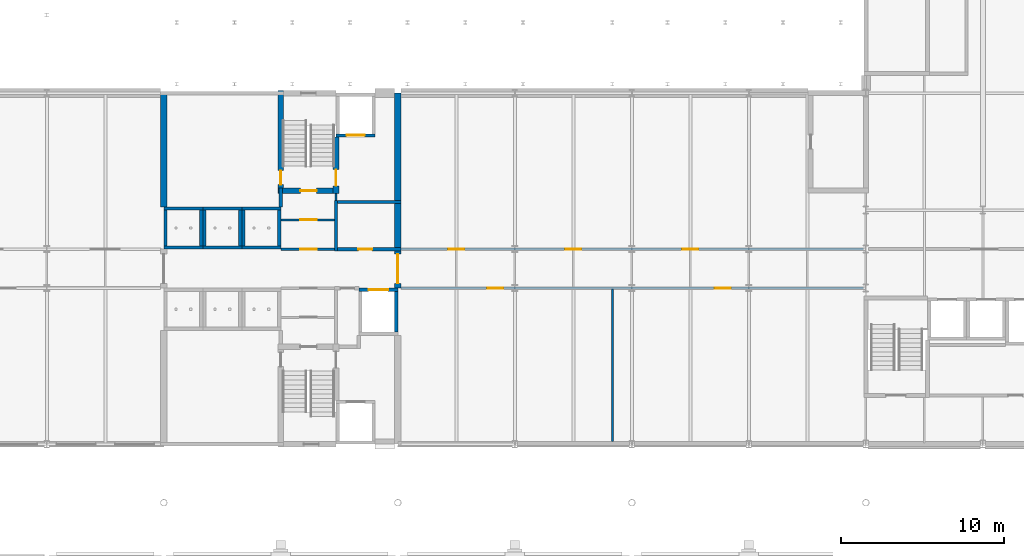
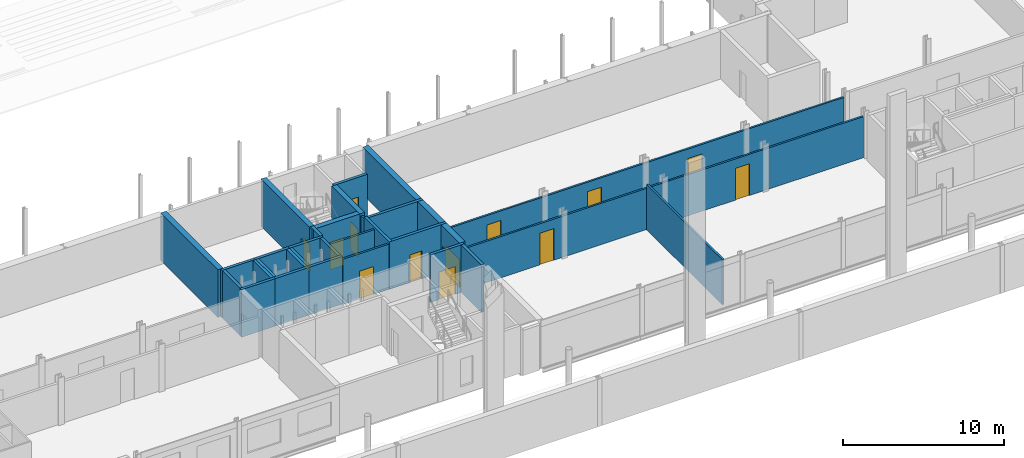
# One storey, part 55 of 90: 32 walls, 14 doors, 14 openings.
"""IFC4 building model written with IfcOpenShell, lengths in metres."""

from ifc_helpers import new_model, si_unit, direction, frame, frame_2d, origin, place, context, subcontext, project, spatial, rectangle, extrude, material, layer, layer_set, type_object, element, fill, save


model = new_model("IFC4")

# Units and contexts
model_context = context("Model", 3, precision=1e-05, world=origin(), true_north=direction((0.0, 1.0)))
body_context = subcontext(model_context, "Body", "Model", "MODEL_VIEW")
ifc_project = project(units=[si_unit("LENGTHUNIT", "METRE"), si_unit("AREAUNIT", "SQUARE_METRE"), si_unit("VOLUMEUNIT", "CUBIC_METRE"), si_unit("PLANEANGLEUNIT", "RADIAN"), si_unit("MASSUNIT", "GRAM", prefix="KILO")], contexts=[model_context])

# Site, building, storey
site_placement = place(None, origin())
site = spatial("IfcSite", under=ifc_project, at=site_placement, CompositionType="ELEMENT")
building_placement = place(site_placement, origin())
building = spatial("IfcBuilding", under=site, at=building_placement, Name="Kupolbacken Congress Centre", CompositionType="ELEMENT")
storey_placement = place(building_placement, frame((0.0, 0.0, 3.60009765625)))
storey = spatial("IfcBuildingStorey", under=building, at=storey_placement, Name="L01", CompositionType="ELEMENT", Elevation=3.60009765625)

# Wall, openings, doors
ifc_material_1 = material(Name="Gypsum board", Category="drywall")
ifc_layer_1 = layer(ifc_material_1, 0.135009765625)
ifc_layer_set_1 = layer_set([ifc_layer_1], Name="Gypsum board")
wall_type_1 = type_object("IfcWallType", Name="P06 compartment wall 135", PredefinedType="PARTITIONING", material=ifc_layer_set_1)
wall_1_placement = place(storey_placement, frame((108.199951171875, 132.0, 0.0), z_axis=(0.0, 0.0, 1.0), x_axis=(1.0, 0.0, 0.0)))
wall_1 = element("IfcWall", 1, at=wall_1_placement, inside=storey, type_object=wall_type_1, Name="T/wall/L01/x/13200/10800", PredefinedType="PARTITIONING", context=body_context, shape_type="SweptSolid", body=[
    extrude(rectangle(XDim=28.449951171875, YDim=0.135009765625, at=frame_2d((14.22509765625, 0.0))), origin(), (0.0, 0.0, 1.0), 3.119873046875),
])
opening_1_placement = place(wall_1_placement, frame((5.300048828125, 0.0, 0.0)))
opening_1 = element("IfcOpeningElement", 2, at=opening_1_placement, cuts=wall_1, Name="Opening D8", PredefinedType="OPENING", context=body_context, shape_type="SweptSolid", body=[
    extrude(rectangle(XDim=1.0, YDim=2.39990234375, at=frame_2d((0.5, 1.199951171875))), frame((0.0, 0.077392578125, 0.0), z_axis=(0.0, -1.0, 0.0), x_axis=(1.0, 0.0, 0.0)), (0.0, 0.0, 1.0), 0.155029296875),
])
opening_2_placement = place(wall_1_placement, frame((19.300048828125, 0.0, 0.0)))
opening_2 = element("IfcOpeningElement", 3, at=opening_2_placement, cuts=wall_1, Name="Opening D8", PredefinedType="OPENING", context=body_context, shape_type="SweptSolid", body=[
    extrude(rectangle(XDim=1.0, YDim=2.39990234375, at=frame_2d((0.5, 1.199951171875))), frame((0.0, 0.077392578125, 0.0), z_axis=(0.0, -1.0, 0.0), x_axis=(1.0, 0.0, 0.0)), (0.0, 0.0, 1.0), 0.155029296875),
])
ifc_material_2 = material(Name="Steel fire door leaf", Category="steel")
door_type_1 = type_object("IfcDoorType", Name="D8 fire door 1000x2400", OperationType="SINGLE_SWING_LEFT", PredefinedType="DOOR", material=ifc_material_2)
door_1_placement = place(opening_1_placement, frame((1.0, 0.0, 0.0), z_axis=(0.0, 0.0, 1.0), x_axis=(-1.0, 0.0, 0.0)))
door_1 = element("IfcDoor", 4, at=door_1_placement, inside=storey, type_object=door_type_1, Name="T/wall/L01/x/13200/10800/D-ACC-D", OperationType="SINGLE_SWING_LEFT", OverallHeight=2.39990234375, OverallWidth=1.0, PredefinedType="DOOR", context=body_context, shape_type="SweptSolid", body=[
    extrude(rectangle(XDim=1.0, YDim=2.39990234375, at=frame_2d((0.5, 1.199951171875))), frame((0.0, 0.02490234375, 0.0), z_axis=(0.0, -1.0, 0.0), x_axis=(1.0, 0.0, 0.0)), (0.0, 0.0, 1.0), 0.050048828125),
])
fill(opening_1, door_1)
door_2_placement = place(opening_2_placement, frame((1.0, 0.0, 0.0), z_axis=(0.0, 0.0, 1.0), x_axis=(-1.0, 0.0, 0.0)))
door_2 = element("IfcDoor", 5, at=door_2_placement, inside=storey, type_object=door_type_1, Name="T/wall/L01/x/13200/10800/D-TRN-D", OperationType="SINGLE_SWING_LEFT", OverallHeight=2.39990234375, OverallWidth=1.0, PredefinedType="DOOR", context=body_context, shape_type="SweptSolid", body=[
    extrude(rectangle(XDim=1.0, YDim=2.39990234375, at=frame_2d((0.5, 1.199951171875))), frame((0.0, 0.02490234375, 0.0), z_axis=(0.0, -1.0, 0.0), x_axis=(1.0, 0.0, 0.0)), (0.0, 0.0, 1.0), 0.050048828125),
])
fill(opening_2, door_2)

wall_2_placement = place(storey_placement, frame((108.199951171875, 134.39990234375, 0.0), z_axis=(0.0, 0.0, 1.0), x_axis=(1.0, 0.0, 0.0)))
wall_2 = element("IfcWall", 6, at=wall_2_placement, inside=storey, type_object=wall_type_1, Name="T/wall/L01/x/13440/10810", PredefinedType="PARTITIONING", context=body_context, shape_type="SweptSolid", body=[
    extrude(rectangle(XDim=28.449951171875, YDim=0.135009765625, at=frame_2d((14.22509765625, 0.0))), origin(), (0.0, 0.0, 1.0), 3.119873046875),
])
opening_3_placement = place(wall_2_placement, frame((2.89990234375, 0.0, 0.0)))
opening_3 = element("IfcOpeningElement", 7, at=opening_3_placement, cuts=wall_2, Name="Opening D8", PredefinedType="OPENING", context=body_context, shape_type="SweptSolid", body=[
    extrude(rectangle(XDim=1.0, YDim=2.39990234375, at=frame_2d((0.5, 1.199951171875))), frame((0.0, 0.077392578125, 0.0), z_axis=(0.0, -1.0, 0.0), x_axis=(1.0, 0.0, 0.0)), (0.0, 0.0, 1.0), 0.155029296875),
])
opening_4_placement = place(wall_2_placement, frame((10.10009765625, 0.0, 0.0)))
opening_4 = element("IfcOpeningElement", 8, at=opening_4_placement, cuts=wall_2, Name="Opening D8", PredefinedType="OPENING", context=body_context, shape_type="SweptSolid", body=[
    extrude(rectangle(XDim=1.0, YDim=2.39990234375, at=frame_2d((0.5, 1.199951171875))), frame((0.0, 0.077392578125, 0.0), z_axis=(0.0, -1.0, 0.0), x_axis=(1.0, 0.0, 0.0)), (0.0, 0.0, 1.0), 0.155029296875),
])
opening_5_placement = place(wall_2_placement, frame((17.300048828125, 0.0, 0.0)))
opening_5 = element("IfcOpeningElement", 9, at=opening_5_placement, cuts=wall_2, Name="Opening D8", PredefinedType="OPENING", context=body_context, shape_type="SweptSolid", body=[
    extrude(rectangle(XDim=1.0, YDim=2.39990234375, at=frame_2d((0.5, 1.199951171875))), frame((0.0, 0.077392578125, 0.0), z_axis=(0.0, -1.0, 0.0), x_axis=(1.0, 0.0, 0.0)), (0.0, 0.0, 1.0), 0.155029296875),
])
door_3_placement = place(opening_3_placement, origin())
door_3 = element("IfcDoor", 10, at=door_3_placement, inside=storey, type_object=door_type_1, Name="T/wall/L01/x/13440/10810/D-OFF-S1", OperationType="SINGLE_SWING_RIGHT", OverallHeight=2.39990234375, OverallWidth=1.0, PredefinedType="DOOR", context=body_context, shape_type="SweptSolid", body=[
    extrude(rectangle(XDim=1.0, YDim=2.39990234375, at=frame_2d((0.5, 1.199951171875))), frame((0.0, 0.02490234375, 0.0), z_axis=(0.0, -1.0, 0.0), x_axis=(1.0, 0.0, 0.0)), (0.0, 0.0, 1.0), 0.050048828125),
])
fill(opening_3, door_3)
door_4_placement = place(opening_4_placement, origin())
door_4 = element("IfcDoor", 11, at=door_4_placement, inside=storey, type_object=door_type_1, Name="T/wall/L01/x/13440/10810/D-OFF-S2", OperationType="SINGLE_SWING_RIGHT", OverallHeight=2.39990234375, OverallWidth=1.0, PredefinedType="DOOR", context=body_context, shape_type="SweptSolid", body=[
    extrude(rectangle(XDim=1.0, YDim=2.39990234375, at=frame_2d((0.5, 1.199951171875))), frame((0.0, 0.02490234375, 0.0), z_axis=(0.0, -1.0, 0.0), x_axis=(1.0, 0.0, 0.0)), (0.0, 0.0, 1.0), 0.050048828125),
])
fill(opening_4, door_4)
door_5_placement = place(opening_5_placement, origin())
door_5 = element("IfcDoor", 12, at=door_5_placement, inside=storey, type_object=door_type_1, Name="T/wall/L01/x/13440/10810/D-OFF-S3", OperationType="SINGLE_SWING_RIGHT", OverallHeight=2.39990234375, OverallWidth=1.0, PredefinedType="DOOR", context=body_context, shape_type="SweptSolid", body=[
    extrude(rectangle(XDim=1.0, YDim=2.39990234375, at=frame_2d((0.5, 1.199951171875))), frame((0.0, 0.02490234375, 0.0), z_axis=(0.0, -1.0, 0.0), x_axis=(1.0, 0.0, 0.0)), (0.0, 0.0, 1.0), 0.050048828125),
])
fill(opening_5, door_5)

# Wall
wall_3_placement = place(storey_placement, frame((121.199951171875, 122.550048828125, 0.0), z_axis=(0.0, 0.0, 1.0), x_axis=(0.0, 1.0, 0.0)))
element("IfcWall", 13, at=wall_3_placement, inside=storey, type_object=wall_type_1, Name="T/wall/L01/y/12120/12240", PredefinedType="PARTITIONING", context=body_context, shape_type="SweptSolid", body=[
    extrude(rectangle(XDim=9.382568359375, YDim=0.135009765625, at=frame_2d((4.69140625, 0.0))), origin(), (0.0, 0.0, 1.0), 3.419921875),
])

# Wall, opening, door
ifc_material_3 = material(Name="Aerated concrete block", Category="masonry")
ifc_layer_2 = layer(ifc_material_3, 0.139892578125)
ifc_layer_set_2 = layer_set([ifc_layer_2], Name="Aerated concrete block")
wall_type_2 = type_object("IfcWallType", Name="P14 compartment wall 140", PredefinedType="PARTITIONING", material=ifc_layer_set_2)
wall_4_placement = place(storey_placement, frame((100.800048828125, 134.39990234375, 0.0), z_axis=(0.0, 0.0, 1.0), x_axis=(1.0, 0.0, 0.0)))
wall_4 = element("IfcWall", 14, at=wall_4_placement, inside=storey, type_object=wall_type_2, Name="T/wall/L01/x/13440/10080", PredefinedType="PARTITIONING", context=body_context, shape_type="SweptSolid", body=[
    extrude(rectangle(XDim=3.300048828125, YDim=0.139892578125, at=frame_2d((1.64990234375, 0.0))), origin(), (0.0, 0.0, 1.0), 3.419921875),
])
opening_6_placement = place(wall_4_placement, frame((1.199951171875, 0.0, 0.0)))
opening_6 = element("IfcOpeningElement", 15, at=opening_6_placement, cuts=wall_4, Name="Opening D5", PredefinedType="OPENING", context=body_context, shape_type="SweptSolid", body=[
    extrude(rectangle(XDim=1.0, YDim=2.10009765625, at=frame_2d((0.5, 1.050048828125))), frame((0.0, 0.079833984375, 0.0), z_axis=(0.0, -1.0, 0.0), x_axis=(1.0, 0.0, 0.0)), (0.0, 0.0, 1.0), 0.159912109375),
])
ifc_material_4 = material(Name="Steel fire door leaf", Category="steel")
door_type_2 = type_object("IfcDoorType", Name="D5 stair door 1000x2100", OperationType="SINGLE_SWING_LEFT", PredefinedType="DOOR", material=ifc_material_4)
door_6_placement = place(opening_6_placement, frame((1.0, 0.0, 0.0), z_axis=(0.0, 0.0, 1.0), x_axis=(-1.0, 0.0, 0.0)))
door_6 = element("IfcDoor", 16, at=door_6_placement, inside=storey, type_object=door_type_2, Name="T/wall/L01/x/13440/10080/D-TS2-LK3", OperationType="SINGLE_SWING_RIGHT", OverallHeight=2.10009765625, OverallWidth=1.0, PredefinedType="DOOR", context=body_context, shape_type="SweptSolid", body=[
    extrude(rectangle(XDim=1.0, YDim=2.10009765625, at=frame_2d((0.5, 1.050048828125))), frame((0.0, 0.02490234375, 0.0), z_axis=(0.0, -1.0, 0.0), x_axis=(1.0, 0.0, 0.0)), (0.0, 0.0, 1.0), 0.050048828125),
])
fill(opening_6, door_6)

wall_5_placement = place(storey_placement, frame((100.800048828125, 136.199951171875, 0.0), z_axis=(0.0, 0.0, 1.0), x_axis=(1.0, 0.0, 0.0)))
wall_5 = element("IfcWall", 17, at=wall_5_placement, inside=storey, type_object=wall_type_2, Name="T/wall/L01/x/13620/10080", PredefinedType="PARTITIONING", context=body_context, shape_type="SweptSolid", body=[
    extrude(rectangle(XDim=3.300048828125, YDim=0.139892578125, at=frame_2d((1.64990234375, 0.0))), origin(), (0.0, 0.0, 1.0), 3.419921875),
])
opening_7_placement = place(wall_5_placement, frame((1.199951171875, 0.0, 0.0)))
opening_7 = element("IfcOpeningElement", 18, at=opening_7_placement, cuts=wall_5, Name="Opening D5", PredefinedType="OPENING", context=body_context, shape_type="SweptSolid", body=[
    extrude(rectangle(XDim=1.0, YDim=2.10009765625, at=frame_2d((0.5, 1.050048828125))), frame((0.0, 0.079833984375, 0.0), z_axis=(0.0, -1.0, 0.0), x_axis=(1.0, 0.0, 0.0)), (0.0, 0.0, 1.0), 0.159912109375),
])
door_7_placement = place(opening_7_placement, frame((1.0, 0.0, 0.0), z_axis=(0.0, 0.0, 1.0), x_axis=(-1.0, 0.0, 0.0)))
door_7 = element("IfcDoor", 19, at=door_7_placement, inside=storey, type_object=door_type_2, Name="T/wall/L01/x/13620/10080/D-TS2-LK2", OperationType="SINGLE_SWING_RIGHT", OverallHeight=2.10009765625, OverallWidth=1.0, PredefinedType="DOOR", context=body_context, shape_type="SweptSolid", body=[
    extrude(rectangle(XDim=1.0, YDim=2.10009765625, at=frame_2d((0.5, 1.050048828125))), frame((0.0, 0.02490234375, 0.0), z_axis=(0.0, -1.0, 0.0), x_axis=(1.0, 0.0, 0.0)), (0.0, 0.0, 1.0), 0.050048828125),
])
fill(opening_7, door_7)

# Wall
wall_6_placement = place(storey_placement, frame((104.199951171875, 137.39990234375, 0.0), z_axis=(0.0, 0.0, 1.0), x_axis=(0.0, 1.0, 0.0)))
element("IfcWall", 20, at=wall_6_placement, inside=storey, type_object=wall_type_2, Name="T/wall/L01/y/10420/13740", PredefinedType="PARTITIONING", context=body_context, shape_type="SweptSolid", body=[
    extrude(rectangle(XDim=0.425048828125, YDim=0.139892578125, at=frame_2d((0.21240234375, 0.0))), origin(), (0.0, 0.0, 1.0), 3.419921875),
])

# Wall, opening, door
ifc_material_5 = material(Name="Concrete C40/50", Category="concrete")
ifc_layer_3 = layer(ifc_material_5, 0.199951171875)
ifc_layer_set_3 = layer_set([ifc_layer_3], Name="Concrete C40/50")
wall_type_3 = type_object("IfcWallType", Name="WC1 RC shaft wall 200", PredefinedType="SHEAR", material=ifc_layer_set_3)
wall_7_placement = place(storey_placement, frame((104.10009765625, 134.39990234375, 0.0), z_axis=(0.0, 0.0, 1.0), x_axis=(1.0, 0.0, 0.0)))
wall_7 = element("IfcWall", 21, at=wall_7_placement, inside=storey, type_object=wall_type_3, Name="Shaft wall L01-112", PredefinedType="SHEAR", context=body_context, shape_type="SweptSolid", body=[
    extrude(rectangle(XDim=4.099853515625, YDim=0.199951171875, at=frame_2d((2.0498046875, 0.0))), origin(), (0.0, 0.0, 1.0), 3.599853515625),
])
opening_8_placement = place(wall_7_placement, frame((1.47509765625, 0.0, 0.0)))
opening_8 = element("IfcOpeningElement", 22, at=opening_8_placement, cuts=wall_7, Name="Opening D3", PredefinedType="OPENING", context=body_context, shape_type="SweptSolid", body=[
    extrude(rectangle(XDim=0.85009765625, YDim=2.10009765625, at=frame_2d((0.425048828125, 1.050048828125))), frame((0.0, 0.10986328125, 0.0), z_axis=(0.0, -1.0, 0.0), x_axis=(1.0, 0.0, 0.0)), (0.0, 0.0, 1.0), 0.219970703125),
])
ifc_material_6 = material(Name="Steel fire door leaf", Category="steel")
door_type_3 = type_object("IfcDoorType", Name="D3 fire door 850x2100", OperationType="SINGLE_SWING_LEFT", PredefinedType="DOOR", material=ifc_material_6)
door_8_placement = place(opening_8_placement, origin())
door_8 = element("IfcDoor", 23, at=door_8_placement, inside=storey, type_object=door_type_3, Name="S/core/L01/112/D-TR4-A", OperationType="SINGLE_SWING_RIGHT", OverallHeight=2.10009765625, OverallWidth=0.85009765625, PredefinedType="DOOR", context=body_context, shape_type="SweptSolid", body=[
    extrude(rectangle(XDim=0.85009765625, YDim=2.10009765625, at=frame_2d((0.425048828125, 1.050048828125))), frame((0.0, 0.02490234375, 0.0), z_axis=(0.0, -1.0, 0.0), x_axis=(1.0, 0.0, 0.0)), (0.0, 0.0, 1.0), 0.050048828125),
])
fill(opening_8, door_8)

# Walls
wall_8_placement = place(storey_placement, frame((100.800048828125, 137.0, 0.0), z_axis=(0.0, 0.0, 1.0), x_axis=(0.0, 1.0, 0.0)))
element("IfcWall", 24, at=wall_8_placement, inside=storey, type_object=wall_type_3, Name="Shaft wall L01-114", PredefinedType="SHEAR", context=body_context, shape_type="SweptSolid", body=[
    extrude(rectangle(XDim=1.175048828125, YDim=0.199951171875, at=frame_2d((0.58740234375, 0.0))), origin(), (0.0, 0.0, 1.0), 3.599853515625),
])
wall_9_placement = place(storey_placement, frame((104.199951171875, 137.39990234375, 0.0), z_axis=(0.0, 0.0, 1.0), x_axis=(0.0, -1.0, 0.0)))
element("IfcWall", 25, at=wall_9_placement, inside=storey, type_object=wall_type_3, Name="Shaft wall L01-115", PredefinedType="SHEAR", context=body_context, shape_type="SweptSolid", body=[
    extrude(rectangle(XDim=3.099853515625, YDim=0.199951171875, at=frame_2d((1.5498046875, 0.0))), origin(), (0.0, 0.0, 1.0), 3.599853515625),
])
wall_10_placement = place(storey_placement, frame((108.199951171875, 137.300048828125, 0.0), z_axis=(0.0, 0.0, 1.0), x_axis=(-1.0, 0.0, 0.0)))
element("IfcWall", 26, at=wall_10_placement, inside=storey, type_object=wall_type_3, Name="Shaft wall L01-116", PredefinedType="SHEAR", context=body_context, shape_type="SweptSolid", body=[
    extrude(rectangle(XDim=4.099853515625, YDim=0.199951171875, at=frame_2d((2.0498046875, 0.0))), origin(), (0.0, 0.0, 1.0), 3.599853515625),
])
for number, where, z_axis, x_axis, name in (
    (27, (93.60009765625, 134.5, 0.0), (0.0, 0.0, 1.0), (1.0, 0.0, 0.0), "Shaft wall LP12"),
    (28, (93.60009765625, 136.89990234375, 0.0), (0.0, 0.0, 1.0), (1.0, 0.0, 0.0), "Shaft wall LP12"),
):
    element("IfcWall", number, at=place(storey_placement, frame(where, z_axis=z_axis, x_axis=x_axis)), inside=storey, type_object=wall_type_3, Name=name, PredefinedType="SHEAR", context=body_context, shape_type="SweptSolid", body=[
        extrude(rectangle(XDim=2.39990234375, YDim=0.199951171875, at=frame_2d((1.199951171875, 0.0))), origin(), (0.0, 0.0, 1.0), 3.599853515625),
    ])
for number, where, z_axis, x_axis, name in (
    (29, (93.699951171875, 134.60009765625, 0.0), (0.0, 0.0, 1.0), (0.0, 1.0, 0.0), "Shaft wall LP12"),
    (30, (95.89990234375, 134.60009765625, 0.0), (0.0, 0.0, 1.0), (0.0, 1.0, 0.0), "Shaft wall LP12"),
):
    element("IfcWall", number, at=place(storey_placement, frame(where, z_axis=z_axis, x_axis=x_axis)), inside=storey, type_object=wall_type_3, Name=name, PredefinedType="SHEAR", context=body_context, shape_type="SweptSolid", body=[
        extrude(rectangle(XDim=2.199951171875, YDim=0.199951171875, at=frame_2d((1.10009765625, 0.0))), origin(), (0.0, 0.0, 1.0), 3.599853515625),
    ])
for number, where, z_axis, x_axis, name in (
    (31, (96.0, 134.5, 0.0), (0.0, 0.0, 1.0), (1.0, 0.0, 0.0), "Shaft wall LP13"),
    (32, (96.0, 136.89990234375, 0.0), (0.0, 0.0, 1.0), (1.0, 0.0, 0.0), "Shaft wall LP13"),
):
    element("IfcWall", number, at=place(storey_placement, frame(where, z_axis=z_axis, x_axis=x_axis)), inside=storey, type_object=wall_type_3, Name=name, PredefinedType="SHEAR", context=body_context, shape_type="SweptSolid", body=[
        extrude(rectangle(XDim=2.39990234375, YDim=0.199951171875, at=frame_2d((1.199951171875, 0.0))), origin(), (0.0, 0.0, 1.0), 3.599853515625),
    ])
for number, where, z_axis, x_axis, name in (
    (33, (96.10009765625, 134.60009765625, 0.0), (0.0, 0.0, 1.0), (0.0, 1.0, 0.0), "Shaft wall LP13"),
    (34, (98.300048828125, 134.60009765625, 0.0), (0.0, 0.0, 1.0), (0.0, 1.0, 0.0), "Shaft wall LP13"),
):
    element("IfcWall", number, at=place(storey_placement, frame(where, z_axis=z_axis, x_axis=x_axis)), inside=storey, type_object=wall_type_3, Name=name, PredefinedType="SHEAR", context=body_context, shape_type="SweptSolid", body=[
        extrude(rectangle(XDim=2.199951171875, YDim=0.199951171875, at=frame_2d((1.10009765625, 0.0))), origin(), (0.0, 0.0, 1.0), 3.599853515625),
    ])
for number, where, z_axis, x_axis, name in (
    (35, (98.39990234375, 134.5, 0.0), (0.0, 0.0, 1.0), (1.0, 0.0, 0.0), "Shaft wall LP14"),
    (36, (98.39990234375, 136.89990234375, 0.0), (0.0, 0.0, 1.0), (1.0, 0.0, 0.0), "Shaft wall LP14"),
):
    element("IfcWall", number, at=place(storey_placement, frame(where, z_axis=z_axis, x_axis=x_axis)), inside=storey, type_object=wall_type_3, Name=name, PredefinedType="SHEAR", context=body_context, shape_type="SweptSolid", body=[
        extrude(rectangle(XDim=2.400146484375, YDim=0.199951171875, at=frame_2d((1.2001953125, 0.0))), origin(), (0.0, 0.0, 1.0), 3.599853515625),
    ])
for number, where, z_axis, x_axis, name in (
    (37, (98.5, 134.60009765625, 0.0), (0.0, 0.0, 1.0), (0.0, 1.0, 0.0), "Shaft wall LP14"),
    (38, (100.699951171875, 134.60009765625, 0.0), (0.0, 0.0, 1.0), (0.0, 1.0, 0.0), "Shaft wall LP14"),
):
    element("IfcWall", number, at=place(storey_placement, frame(where, z_axis=z_axis, x_axis=x_axis)), inside=storey, type_object=wall_type_3, Name=name, PredefinedType="SHEAR", context=body_context, shape_type="SweptSolid", body=[
        extrude(rectangle(XDim=2.199951171875, YDim=0.199951171875, at=frame_2d((1.10009765625, 0.0))), origin(), (0.0, 0.0, 1.0), 3.599853515625),
    ])

# Wall, opening, door
wall_11_placement = place(storey_placement, frame((104.199951171875, 141.39990234375, 0.0), z_axis=(0.0, 0.0, 1.0), x_axis=(1.0, 0.0, 0.0)))
wall_11 = element("IfcWall", 39, at=wall_11_placement, inside=storey, type_object=wall_type_3, Name="Shaft wall LF2", PredefinedType="SHEAR", context=body_context, shape_type="SweptSolid", body=[
    extrude(rectangle(XDim=2.400146484375, YDim=0.199951171875, at=frame_2d((1.2001953125, 0.0))), origin(), (0.0, 0.0, 1.0), 3.599853515625),
])
opening_9_placement = place(wall_11_placement, frame((0.64990234375, 0.0, 0.0)))
opening_9 = element("IfcOpeningElement", 40, at=opening_9_placement, cuts=wall_11, Name="Opening LD2", PredefinedType="OPENING", context=body_context, shape_type="SweptSolid", body=[
    extrude(rectangle(XDim=1.10009765625, YDim=2.10009765625, at=frame_2d((0.550048828125, 1.050048828125))), frame((0.0, 0.10986328125, 0.0), z_axis=(0.0, -1.0, 0.0), x_axis=(1.0, 0.0, 0.0)), (0.0, 0.0, 1.0), 0.219970703125),
])
ifc_material_7 = material(Name="Stainless steel door leaf", Category="steel")
door_type_4 = type_object("IfcDoorType", Name="LD2 lift landing door 1100x2100", OperationType="SLIDING_TO_LEFT", PredefinedType="DOOR", material=ifc_material_7)
door_9_placement = place(opening_9_placement, origin())
door_9 = element("IfcDoor", 41, at=door_9_placement, inside=storey, type_object=door_type_4, Name="Lift landing door LF2", OperationType="SLIDING_TO_LEFT", OverallHeight=2.10009765625, OverallWidth=1.10009765625, PredefinedType="DOOR", context=body_context, shape_type="SweptSolid", body=[
    extrude(rectangle(XDim=1.10009765625, YDim=2.10009765625, at=frame_2d((0.550048828125, 1.050048828125))), frame((0.0, 0.02490234375, 0.0), z_axis=(0.0, -1.0, 0.0), x_axis=(1.0, 0.0, 0.0)), (0.0, 0.0, 1.0), 0.050048828125),
])
fill(opening_9, door_9)

wall_12_placement = place(storey_placement, frame((105.60009765625, 131.89990234375, 0.0), z_axis=(0.0, 0.0, 1.0), x_axis=(1.0, 0.0, 0.0)))
wall_12 = element("IfcWall", 42, at=wall_12_placement, inside=storey, type_object=wall_type_3, Name="Shaft wall LV1", PredefinedType="SHEAR", context=body_context, shape_type="SweptSolid", body=[
    extrude(rectangle(XDim=2.39990234375, YDim=0.199951171875, at=frame_2d((1.199951171875, 0.0))), origin(), (0.0, 0.0, 1.0), 3.599853515625),
])
opening_10_placement = place(wall_12_placement, frame((0.60009765625, 0.0, 0.0)))
opening_10 = element("IfcOpeningElement", 43, at=opening_10_placement, cuts=wall_12, Name="Opening LD1", PredefinedType="OPENING", context=body_context, shape_type="SweptSolid", body=[
    extrude(rectangle(XDim=1.199951171875, YDim=2.10009765625, at=frame_2d((0.60009765625, 1.050048828125))), frame((0.0, 0.10986328125, 0.0), z_axis=(0.0, -1.0, 0.0), x_axis=(1.0, 0.0, 0.0)), (0.0, 0.0, 1.0), 0.219970703125),
])
ifc_material_8 = material(Name="Stainless steel door leaf", Category="steel")
door_type_5 = type_object("IfcDoorType", Name="LD1 lift landing door 1200x2100", OperationType="SLIDING_TO_LEFT", PredefinedType="DOOR", material=ifc_material_8)
door_10_placement = place(opening_10_placement, origin())
door_10 = element("IfcDoor", 44, at=door_10_placement, inside=storey, type_object=door_type_5, Name="Lift landing door LV1", OperationType="SLIDING_TO_LEFT", OverallHeight=2.10009765625, OverallWidth=1.199951171875, PredefinedType="DOOR", context=body_context, shape_type="SweptSolid", body=[
    extrude(rectangle(XDim=1.199951171875, YDim=2.10009765625, at=frame_2d((0.60009765625, 1.050048828125))), frame((0.0, 0.02490234375, 0.0), z_axis=(0.0, -1.0, 0.0), x_axis=(1.0, 0.0, 0.0)), (0.0, 0.0, 1.0), 0.050048828125),
])
fill(opening_10, door_10)

# Wall
wall_13_placement = place(storey_placement, frame((107.89990234375, 129.300048828125, 0.0), z_axis=(0.0, 0.0, 1.0), x_axis=(0.0, 1.0, 0.0)))
element("IfcWall", 45, at=wall_13_placement, inside=storey, type_object=wall_type_3, Name="Shaft wall LV1", PredefinedType="SHEAR", context=body_context, shape_type="SweptSolid", body=[
    extrude(rectangle(XDim=2.5, YDim=0.199951171875, at=frame_2d((1.25, 0.0))), origin(), (0.0, 0.0, 1.0), 3.599853515625),
])

# Wall, opening, door
ifc_material_9 = material(Name="Concrete C40/50", Category="concrete")
ifc_layer_4 = layer(ifc_material_9, 0.35009765625)
ifc_layer_set_4 = layer_set([ifc_layer_4], Name="Concrete C40/50")
wall_type_4 = type_object("IfcWallType", Name="WC4 RC core wall 350", PredefinedType="SHEAR", material=ifc_layer_set_4)
wall_14_placement = place(storey_placement, frame((100.625, 138.0, 0.0), z_axis=(0.0, 0.0, 1.0), x_axis=(1.0, 0.0, 0.0)))
wall_14 = element("IfcWall", 46, at=wall_14_placement, inside=storey, type_object=wall_type_4, Name="Core wall L01-120", PredefinedType="SHEAR", context=body_context, shape_type="SweptSolid", body=[
    extrude(rectangle(XDim=3.75, YDim=0.35009765625, at=frame_2d((1.875, 0.0))), origin(), (0.0, 0.0, 1.0), 3.599853515625),
])
opening_11_placement = place(wall_14_placement, frame((1.375, 0.0, 0.0)))
opening_11 = element("IfcOpeningElement", 47, at=opening_11_placement, cuts=wall_14, Name="Opening D5", PredefinedType="OPENING", context=body_context, shape_type="SweptSolid", body=[
    extrude(rectangle(XDim=1.0, YDim=2.10009765625, at=frame_2d((0.5, 1.050048828125))), frame((0.0, 0.18505859375, 0.0), z_axis=(0.0, -1.0, 0.0), x_axis=(1.0, 0.0, 0.0)), (0.0, 0.0, 1.0), 0.3701171875),
])
door_11_placement = place(opening_11_placement, origin())
door_11 = element("IfcDoor", 48, at=door_11_placement, inside=storey, type_object=door_type_2, Name="S/core/L01/120/D-TS2-LK1", OperationType="SINGLE_SWING_LEFT", OverallHeight=2.10009765625, OverallWidth=1.0, PredefinedType="DOOR", context=body_context, shape_type="SweptSolid", body=[
    extrude(rectangle(XDim=1.0, YDim=2.10009765625, at=frame_2d((0.5, 1.050048828125))), frame((0.0, 0.02490234375, 0.0), z_axis=(0.0, -1.0, 0.0), x_axis=(1.0, 0.0, 0.0)), (0.0, 0.0, 1.0), 0.050048828125),
])
fill(opening_11, door_11)

wall_15_placement = place(storey_placement, frame((104.199951171875, 137.824951171875, 0.0), z_axis=(0.0, 0.0, 1.0), x_axis=(0.0, 1.0, 0.0)))
wall_15 = element("IfcWall", 49, at=wall_15_placement, inside=storey, type_object=wall_type_4, Name="Core wall L01-121", PredefinedType="SHEAR", context=body_context, shape_type="SweptSolid", body=[
    extrude(rectangle(XDim=3.47509765625, YDim=0.35009765625, at=frame_2d((1.737548828125, 0.0))), origin(), (0.0, 0.0, 1.0), 3.599853515625),
])
opening_12_placement = place(wall_15_placement, frame((0.47509765625, 0.0, 0.0)))
opening_12 = element("IfcOpeningElement", 50, at=opening_12_placement, cuts=wall_15, Name="Opening D5", PredefinedType="OPENING", context=body_context, shape_type="SweptSolid", body=[
    extrude(rectangle(XDim=1.0, YDim=2.10009765625, at=frame_2d((0.5, 1.050048828125))), frame((0.0, 0.18505859375, 0.0), z_axis=(0.0, -1.0, 0.0), x_axis=(1.0, 0.0, 0.0)), (0.0, 0.0, 1.0), 0.3701171875),
])
door_12_placement = place(opening_12_placement, origin())
door_12 = element("IfcDoor", 51, at=door_12_placement, inside=storey, type_object=door_type_2, Name="S/core/L01/121/D-TFL2-A", OperationType="SINGLE_SWING_RIGHT", OverallHeight=2.10009765625, OverallWidth=1.0, PredefinedType="DOOR", context=body_context, shape_type="SweptSolid", body=[
    extrude(rectangle(XDim=1.0, YDim=2.10009765625, at=frame_2d((0.5, 1.050048828125))), frame((0.0, 0.02490234375, 0.0), z_axis=(0.0, -1.0, 0.0), x_axis=(1.0, 0.0, 0.0)), (0.0, 0.0, 1.0), 0.050048828125),
])
fill(opening_12, door_12)

wall_16_placement = place(storey_placement, frame((100.800048828125, 144.175048828125, 0.0), z_axis=(0.0, 0.0, 1.0), x_axis=(0.0, -1.0, 0.0)))
wall_16 = element("IfcWall", 52, at=wall_16_placement, inside=storey, type_object=wall_type_4, Name="Core wall L01-127", PredefinedType="SHEAR", context=body_context, shape_type="SweptSolid", body=[
    extrude(rectangle(XDim=6.0, YDim=0.35009765625, at=frame_2d((3.0, 0.0))), origin(), (0.0, 0.0, 1.0), 3.599853515625),
])
opening_13_placement = place(wall_16_placement, frame((4.949951171875, 0.0, 0.0)))
opening_13 = element("IfcOpeningElement", 53, at=opening_13_placement, cuts=wall_16, Name="Opening D3", PredefinedType="OPENING", context=body_context, shape_type="SweptSolid", body=[
    extrude(rectangle(XDim=0.85009765625, YDim=2.10009765625, at=frame_2d((0.425048828125, 1.050048828125))), frame((0.0, 0.18505859375, 0.0), z_axis=(0.0, -1.0, 0.0), x_axis=(1.0, 0.0, 0.0)), (0.0, 0.0, 1.0), 0.3701171875),
])
door_13_placement = place(opening_13_placement, origin())
door_13 = element("IfcDoor", 54, at=door_13_placement, inside=storey, type_object=door_type_3, Name="S/core/L01/127/D-TR2-A", OperationType="SINGLE_SWING_LEFT", OverallHeight=2.10009765625, OverallWidth=0.85009765625, PredefinedType="DOOR", context=body_context, shape_type="SweptSolid", body=[
    extrude(rectangle(XDim=0.85009765625, YDim=2.10009765625, at=frame_2d((0.425048828125, 1.050048828125))), frame((0.0, 0.02490234375, 0.0), z_axis=(0.0, -1.0, 0.0), x_axis=(1.0, 0.0, 0.0)), (0.0, 0.0, 1.0), 0.050048828125),
])
fill(opening_13, door_13)

ifc_material_10 = material(Name="Concrete C40/50", Category="concrete")
ifc_layer_5 = layer(ifc_material_10, 0.39990234375)
ifc_layer_set_5 = layer_set([ifc_layer_5], Name="Concrete C40/50")
wall_type_5 = type_object("IfcWallType", Name="WC5 RC core wall 400", PredefinedType="SHEAR", material=ifc_layer_set_5)
wall_17_placement = place(storey_placement, frame((108.0, 132.0, 0.0), z_axis=(0.0, 0.0, 1.0), x_axis=(0.0, 1.0, 0.0)))
wall_17 = element("IfcWall", 55, at=wall_17_placement, inside=storey, type_object=wall_type_5, Name="Core wall L01-111", PredefinedType="SHEAR", context=body_context, shape_type="SweptSolid", body=[
    extrude(rectangle(XDim=2.5, YDim=0.39990234375, at=frame_2d((1.25, 0.0))), origin(), (0.0, 0.0, 1.0), 3.599853515625),
])
opening_14_placement = place(wall_17_placement, frame((0.300048828125, 0.0, 0.0)))
opening_14 = element("IfcOpeningElement", 56, at=opening_14_placement, cuts=wall_17, Name="Opening D14", PredefinedType="OPENING", context=body_context, shape_type="SweptSolid", body=[
    extrude(rectangle(XDim=1.800048828125, YDim=2.10009765625, at=frame_2d((0.89990234375, 1.050048828125))), frame((0.0, 0.2099609375, 0.0), z_axis=(0.0, -1.0, 0.0), x_axis=(1.0, 0.0, 0.0)), (0.0, 0.0, 1.0), 0.419921875),
])
ifc_material_11 = material(Name="Steel fire door leaf", Category="steel")
door_type_6 = type_object("IfcDoorType", Name="D14 fire door 1800x2100", OperationType="DOUBLE_DOOR_SINGLE_SWING", PredefinedType="DOOR", material=ifc_material_11)
door_14_placement = place(opening_14_placement, frame((1.800048828125, 0.0, 0.0), z_axis=(0.0, 0.0, 1.0), x_axis=(-1.0, 0.0, 0.0)))
door_14 = element("IfcDoor", 57, at=door_14_placement, inside=storey, type_object=door_type_6, Name="S/core/L01/111/D-CX-E", OperationType="DOUBLE_DOOR_SINGLE_SWING", OverallHeight=2.10009765625, OverallWidth=1.800048828125, PredefinedType="DOOR", context=body_context, shape_type="SweptSolid", body=[
    extrude(rectangle(XDim=1.800048828125, YDim=2.10009765625, at=frame_2d((0.89990234375, 1.050048828125))), frame((0.0, 0.02490234375, 0.0), z_axis=(0.0, -1.0, 0.0), x_axis=(1.0, 0.0, 0.0)), (0.0, 0.0, 1.0), 0.050048828125),
])
fill(opening_14, door_14)

# Walls
wall_18_placement = place(storey_placement, frame((108.0, 134.5, 0.0), z_axis=(0.0, 0.0, 1.0), x_axis=(0.0, 1.0, 0.0)))
element("IfcWall", 58, at=wall_18_placement, inside=storey, type_object=wall_type_5, Name="Core wall L01-113", PredefinedType="SHEAR", context=body_context, shape_type="SweptSolid", body=[
    extrude(rectangle(XDim=2.89990234375, YDim=0.39990234375, at=frame_2d((1.449951171875, 0.0))), origin(), (0.0, 0.0, 1.0), 3.599853515625),
])
wall_19_placement = place(storey_placement, frame((108.0, 137.39990234375, 0.0), z_axis=(0.0, 0.0, 1.0), x_axis=(0.0, 1.0, 0.0)))
element("IfcWall", 59, at=wall_19_placement, inside=storey, type_object=wall_type_5, Name="Core wall L01-117", PredefinedType="SHEAR", context=body_context, shape_type="SweptSolid", body=[
    extrude(rectangle(XDim=6.60009765625, YDim=0.39990234375, at=frame_2d((3.300048828125, 0.0))), origin(), (0.0, 0.0, 1.0), 3.599853515625),
])
wall_20_placement = place(storey_placement, frame((93.60009765625, 144.10009765625, 0.0), z_axis=(0.0, 0.0, 1.0), x_axis=(0.0, -1.0, 0.0)))
element("IfcWall", 60, at=wall_20_placement, inside=storey, type_object=wall_type_5, Name="Core wall L01-126", PredefinedType="SHEAR", context=body_context, shape_type="SweptSolid", body=[
    extrude(rectangle(XDim=7.10009765625, YDim=0.39990234375, at=frame_2d((3.550048828125, 0.0))), origin(), (0.0, 0.0, 1.0), 3.599853515625),
])

save(model, "model.ifc")
